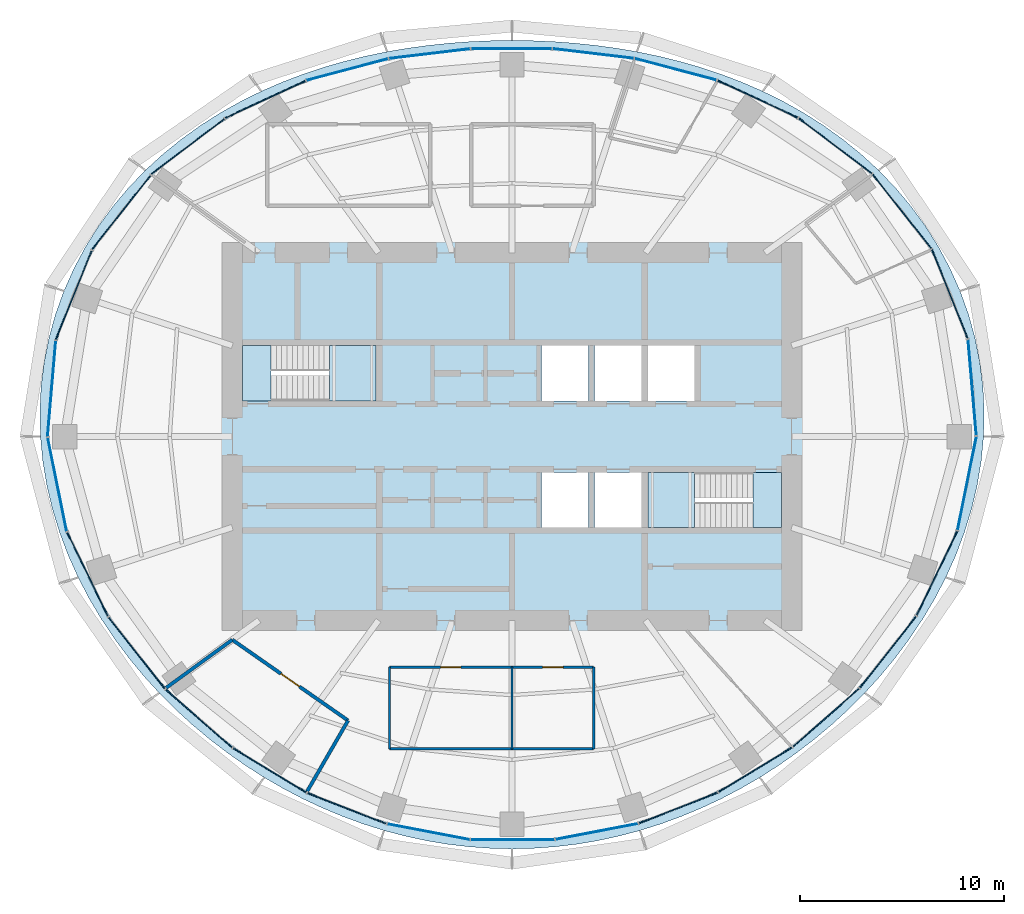
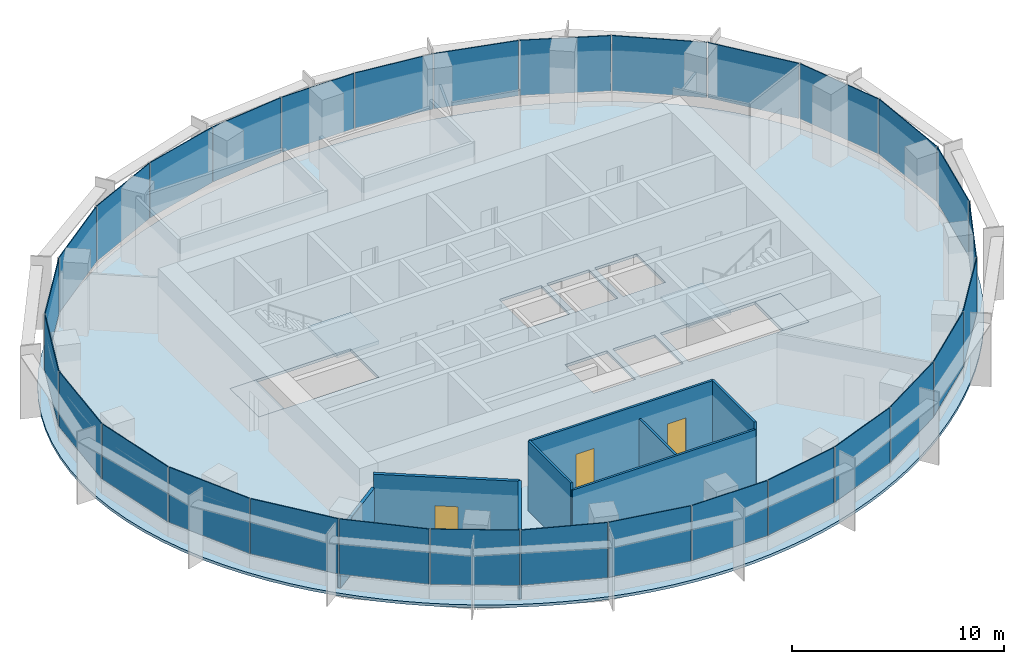
# One storey, part 8 of 13: 30 plates, 8 walls, 5 slabs, 3 doors, 3 openings, 8 elements without a shape of their own.
"""IFC4 building model written with IfcOpenShell, lengths in metres."""

from ifc_helpers import new_model, si_unit, direction, frame, frame_2d, origin, origin_2d, place, context, subcontext, project, spatial, polyline, rectangle, outline, extrude, material, layer, layer_set, type_object, element, fill, aggregate, save


model = new_model("IFC4")

# Units and contexts
model_context = context("Model", 3, precision=1e-05, world=origin(), true_north=direction((0.0, 1.0)))
body_context = subcontext(model_context, "Body", "Model", "MODEL_VIEW")
ifc_project = project(units=[si_unit("LENGTHUNIT", "METRE"), si_unit("AREAUNIT", "SQUARE_METRE"), si_unit("VOLUMEUNIT", "CUBIC_METRE"), si_unit("PLANEANGLEUNIT", "RADIAN"), si_unit("MASSUNIT", "GRAM", prefix="KILO")], contexts=[model_context])

# Site, building, storey
site_placement = place(None, origin())
site = spatial("IfcSite", under=ifc_project, at=site_placement, CompositionType="ELEMENT")
building_placement = place(site_placement, origin())
building = spatial("IfcBuilding", under=site, at=building_placement, Name="Marramba Exchange Tower", CompositionType="ELEMENT")
storey_placement = place(building_placement, frame((0.0, 0.0, 264.39990234375)))
storey = spatial("IfcBuildingStorey", under=building, at=storey_placement, Name="L64", CompositionType="ELEMENT", Elevation=264.39990234375)

# Slab
ifc_material_1 = material(Name="Concrete N40", Category="concrete")
ifc_layer_1 = layer(ifc_material_1, 0.159912109375)
ifc_layer_set_1 = layer_set([ifc_layer_1], Name="Composite floor slab 160")
slab_type_1 = type_object("IfcSlabType", Name="Composite floor slab 160", PredefinedType="FLOOR", material=ifc_layer_set_1)
slab_1_placement = place(storey_placement, frame((0.0, 0.0, -0.159912109375)))
element("IfcSlab", 1, at=slab_1_placement, inside=storey, type_object=slab_type_1, Name="Floor slab L64", PredefinedType="FLOOR", context=body_context, shape_type="SweptSolid", body=[
    extrude(outline(polyline([(23.10009765625, 0.0), (23.129150390625, 1.212158203125), (23.070068359375, 2.4248046875), (22.921630859375, 3.63037109375), (22.6845703125, 4.82177734375), (22.359619140625, 5.9912109375), (21.94970703125, 7.1318359375), (21.4580078125, 8.237060546875), (20.889404296875, 9.300537109375), (20.248779296875, 10.3173828125), (19.542236328125, 11.28271484375), (18.77587890625, 12.193359375), (17.95654296875, 13.046142578125), (17.090576171875, 13.83984375), (16.18505859375, 14.572998046875), (15.245849609375, 15.245849609375), (14.279541015625, 15.85888671875), (13.291259765625, 16.413330078125), (12.28662109375, 16.9111328125), (11.270263671875, 17.3544921875), (10.24560546875, 17.745849609375), (9.21630859375, 18.088134765625), (8.185302734375, 18.38427734375), (7.154296875, 18.63720703125), (6.124755859375, 18.849853515625), (5.09765625, 19.024658203125), (4.073486328125, 19.1640625), (3.05224609375, 19.2705078125), (2.033203125, 19.344970703125), (1.01611328125, 19.389404296875), (0.0, 19.404052734375), (-1.01611328125, 19.389404296875), (-2.033203125, 19.344970703125), (-3.05224609375, 19.2705078125), (-4.073486328125, 19.1640625), (-5.09765625, 19.024658203125), (-6.124755859375, 18.849853515625), (-7.154296875, 18.63720703125), (-8.185302734375, 18.38427734375), (-9.21630859375, 18.088134765625), (-10.24560546875, 17.745849609375), (-11.270263671875, 17.3544921875), (-12.28662109375, 16.9111328125), (-13.291259765625, 16.413330078125), (-14.279541015625, 15.85888671875), (-15.245849609375, 15.245849609375), (-16.18505859375, 14.572998046875), (-17.090576171875, 13.83984375), (-17.95654296875, 13.046142578125), (-18.77587890625, 12.193359375), (-19.542236328125, 11.28271484375), (-20.248779296875, 10.3173828125), (-20.889404296875, 9.300537109375), (-21.4580078125, 8.237060546875), (-21.94970703125, 7.1318359375), (-22.359619140625, 5.9912109375), (-22.6845703125, 4.82177734375), (-22.921630859375, 3.63037109375), (-23.070068359375, 2.4248046875), (-23.129150390625, 1.212158203125), (-23.10009765625, 0.0), (-22.98486328125, -1.20458984375), (-22.78662109375, -2.39501953125), (-22.50927734375, -3.565185546875), (-22.1572265625, -4.709716796875), (-21.736083984375, -5.82421875), (-21.250732421875, -6.90478515625), (-20.706787109375, -7.948486328125), (-20.109619140625, -8.953369140625), (-19.46435546875, -9.91748046875), (-18.77587890625, -10.84033203125), (-18.048583984375, -11.720947265625), (-17.2861328125, -12.55908203125), (-16.4921875, -13.355224609375), (-15.669677734375, -14.10888671875), (-14.820556640625, -14.820556640625), (-13.947509765625, -15.490478515625), (-13.05224609375, -16.1181640625), (-12.1357421875, -16.703369140625), (-11.199951171875, -17.246337890625), (-10.24560546875, -17.745849609375), (-9.274169921875, -18.20166015625), (-8.287109375, -18.613037109375), (-7.285400390625, -18.978759765625), (-6.2705078125, -19.29833984375), (-5.243896484375, -19.570556640625), (-4.20751953125, -19.79443359375), (-3.162841796875, -19.9697265625), (-2.112060546875, -20.09521484375), (-1.05712890625, -20.1708984375), (0.0, -20.196044921875), (1.05712890625, -20.1708984375), (2.112060546875, -20.09521484375), (3.162841796875, -19.9697265625), (4.20751953125, -19.79443359375), (5.243896484375, -19.570556640625), (6.2705078125, -19.29833984375), (7.285400390625, -18.978759765625), (8.287109375, -18.613037109375), (9.274169921875, -18.20166015625), (10.24560546875, -17.745849609375), (11.199951171875, -17.246337890625), (12.1357421875, -16.703369140625), (13.05224609375, -16.1181640625), (13.947509765625, -15.490478515625), (14.820556640625, -14.820556640625), (15.669677734375, -14.10888671875), (16.4921875, -13.355224609375), (17.2861328125, -12.55908203125), (18.048583984375, -11.720947265625), (18.77587890625, -10.84033203125), (19.46435546875, -9.91748046875), (20.109619140625, -8.953369140625), (20.706787109375, -7.948486328125), (21.250732421875, -6.90478515625), (21.736083984375, -5.82421875), (22.1572265625, -4.709716796875), (22.50927734375, -3.565185546875), (22.78662109375, -2.39501953125), (22.98486328125, -1.20458984375), (23.10009765625, 0.0)]), holes=[polyline([(1.449951171875, 1.75), (3.75, 1.75), (3.75, 4.449951171875), (1.449951171875, 4.449951171875), (1.449951171875, 1.75)]), polyline([(4.050048828125, 1.75), (6.35009765625, 1.75), (6.35009765625, 4.449951171875), (4.050048828125, 4.449951171875), (4.050048828125, 1.75)]), polyline([(1.449951171875, -4.449951171875), (3.75, -4.449951171875), (3.75, -1.75), (1.449951171875, -1.75), (1.449951171875, -4.449951171875)]), polyline([(4.050048828125, -4.449951171875), (6.35009765625, -4.449951171875), (6.35009765625, -1.75), (4.050048828125, -1.75), (4.050048828125, -4.449951171875)]), polyline([(6.64990234375, 1.75), (8.949951171875, 1.75), (8.949951171875, 4.449951171875), (6.64990234375, 4.449951171875), (6.64990234375, 1.75)]), polyline([(-13.199951171875, 1.75), (-6.64990234375, 1.75), (-6.64990234375, 4.449951171875), (-13.199951171875, 4.449951171875), (-13.199951171875, 1.75)]), polyline([(6.64990234375, -4.449951171875), (13.199951171875, -4.449951171875), (13.199951171875, -1.75), (6.64990234375, -1.75), (6.64990234375, -4.449951171875)])]), origin(), (0.0, 0.0, 1.0), 0.159912109375),
])

# Curtain wall, plates
ifc_material_2 = material(Name="Aluminium framing, bronze anodised", Category="aluminium")
curtain_wall_type = type_object("IfcCurtainWallType", Name="Executive floor ribbon curtain wall", PredefinedType="USERDEFINED", material=ifc_material_2)
curtain_wall_1_placement = place(storey_placement, origin())
curtain_wall_1 = element("IfcCurtainWall", 2, at=curtain_wall_1_placement, inside=storey, type_object=curtain_wall_type, Name="Curtain wall CW5 L64 F01-F05", ObjectType="RIBBON CURTAIN WALL", PredefinedType="USERDEFINED")
ifc_material_3 = material(Name="Laminated double glazed unit 13.52 + 20 + 13.52, bronze tinted, acoustic interlayer", Category="glass")
ifc_layer_2 = layer(ifc_material_3, 0.047119140625)
ifc_layer_set_2 = layer_set([ifc_layer_2], Name="Executive floor ribbon curtain wall panel")
plate_type = type_object("IfcPlateType", Name="Executive floor ribbon curtain wall panel", PredefinedType="CURTAIN_PANEL", material=ifc_layer_set_2)
plate_1_placement = place(storey_placement, frame((22.54345703125, 2.404296875, 0.8603515625), z_axis=(0.0, 0.0, 1.0), x_axis=(-0.085574009881, 0.996331816632, 0.0)))
plate_1 = element("IfcPlate", 3, at=plate_1_placement, type_object=plate_type, Name="CW5 vision panel", PredefinedType="CURTAIN_PANEL", context=body_context, shape_type="SweptSolid", body=[
    extrude(rectangle(XDim=4.70654296875, YDim=0.047119140625, at=origin_2d()), origin(), (0.0, 0.0, 1.0), 3.179931640625),
])
plate_2_placement = place(storey_placement, frame((21.444580078125, 6.9814453125, 0.8603515625), z_axis=(0.0, 0.0, 1.0), x_axis=(-0.372983090774, 0.927838139977, 0.0)))
plate_2 = element("IfcPlate", 4, at=plate_2_placement, type_object=plate_type, Name="CW5 vision panel", PredefinedType="CURTAIN_PANEL", context=body_context, shape_type="SweptSolid", body=[
    extrude(rectangle(XDim=4.692138671875, YDim=0.047119140625, at=origin_2d()), origin(), (0.0, 0.0, 1.0), 3.179931640625),
])
plate_3_placement = place(storey_placement, frame((19.10302734375, 11.02294921875, 0.8603515625), z_axis=(0.0, 0.0, 1.0), x_axis=(-0.618222857512, 0.786002861604, 0.0)))
plate_3 = element("IfcPlate", 5, at=plate_3_placement, type_object=plate_type, Name="CW5 vision panel", PredefinedType="CURTAIN_PANEL", context=body_context, shape_type="SweptSolid", body=[
    extrude(rectangle(XDim=4.624755859375, YDim=0.047119140625, at=origin_2d()), origin(), (0.0, 0.0, 1.0), 3.179931640625),
])
plate_4_placement = place(storey_placement, frame((15.83544921875, 14.23779296875, 0.8603515625), z_axis=(0.0, 0.0, 1.0), x_axis=(-0.796058900199, 0.605219156516, 0.0)))
plate_4 = element("IfcPlate", 6, at=plate_4_placement, type_object=plate_type, Name="CW5 vision panel", PredefinedType="CURTAIN_PANEL", context=body_context, shape_type="SweptSolid", body=[
    extrude(rectangle(XDim=4.49755859375, YDim=0.047119140625, at=origin_2d()), origin(), (0.0, 0.0, 1.0), 3.179931640625),
])
plate_5_placement = place(storey_placement, frame((12.03076171875, 16.533447265625, 0.8603515625), z_axis=(0.0, 0.0, 1.0), x_axis=(-0.90713057934, 0.420849274712, 0.0)))
plate_5 = element("IfcPlate", 7, at=plate_5_placement, type_object=plate_type, Name="CW5 vision panel", PredefinedType="CURTAIN_PANEL", context=body_context, shape_type="SweptSolid", body=[
    extrude(rectangle(XDim=4.321533203125, YDim=0.047119140625, at=origin_2d()), origin(), (0.0, 0.0, 1.0), 3.179931640625),
])
aggregate(curtain_wall_1, [plate_1, plate_2, plate_3, plate_4, plate_5])

curtain_wall_2_placement = place(storey_placement, origin())
curtain_wall_2 = element("IfcCurtainWall", 8, at=curtain_wall_2_placement, inside=storey, type_object=curtain_wall_type, Name="Curtain wall CW5 L64 F06-F10", ObjectType="RIBBON CURTAIN WALL", PredefinedType="USERDEFINED")
plate_6_placement = place(storey_placement, frame((8.0146484375, 17.987548828125, 0.8603515625), z_axis=(0.0, 0.0, 1.0), x_axis=(-0.966643517501, 0.256125574813, 0.0)))
plate_6 = element("IfcPlate", 9, at=plate_6_placement, type_object=plate_type, Name="CW5 vision panel", PredefinedType="CURTAIN_PANEL", context=body_context, shape_type="SweptSolid", body=[
    extrude(rectangle(XDim=4.134033203125, YDim=0.047119140625, at=origin_2d()), origin(), (0.0, 0.0, 1.0), 3.179931640625),
])
plate_7_placement = place(storey_placement, frame((3.976806640625, 18.760498046875, 0.8603515625), z_axis=(0.0, 0.0, 1.0), x_axis=(-0.992947253654, 0.118556954505, 0.0)))
plate_7 = element("IfcPlate", 10, at=plate_7_placement, type_object=plate_type, Name="CW5 vision panel", PredefinedType="CURTAIN_PANEL", context=body_context, shape_type="SweptSolid", body=[
    extrude(rectangle(XDim=3.988525390625, YDim=0.047119140625, at=origin_2d()), origin(), (0.0, 0.0, 1.0), 3.179931640625),
])
plate_8_placement = place(storey_placement, frame((-0.030029296875, 18.9970703125, 0.8603515625), z_axis=(0.0, 0.0, 1.0), x_axis=(-1.0, 0.0, 0.0)))
plate_8 = element("IfcPlate", 11, at=plate_8_placement, type_object=plate_type, Name="CW5 vision panel", PredefinedType="CURTAIN_PANEL", context=body_context, shape_type="SweptSolid", body=[
    extrude(rectangle(XDim=3.933349609375, YDim=0.047119140625, at=origin_2d()), origin(), (0.0, 0.0, 1.0), 3.179931640625),
])
plate_9_placement = place(storey_placement, frame((-4.036376953125, 18.75341796875, 0.8603515625), z_axis=(0.0, 0.0, 1.0), x_axis=(-0.992947253654, -0.118556954505, 0.0)))
plate_9 = element("IfcPlate", 12, at=plate_9_placement, type_object=plate_type, Name="CW5 vision panel", PredefinedType="CURTAIN_PANEL", context=body_context, shape_type="SweptSolid", body=[
    extrude(rectangle(XDim=3.988525390625, YDim=0.047119140625, at=origin_2d()), origin(), (0.0, 0.0, 1.0), 3.179931640625),
])
plate_10_placement = place(storey_placement, frame((-8.072509765625, 17.97216796875, 0.8603515625), z_axis=(0.0, 0.0, 1.0), x_axis=(-0.966643517501, -0.256125574813, 0.0)))
plate_10 = element("IfcPlate", 13, at=plate_10_placement, type_object=plate_type, Name="CW5 vision panel", PredefinedType="CURTAIN_PANEL", context=body_context, shape_type="SweptSolid", body=[
    extrude(rectangle(XDim=4.134033203125, YDim=0.047119140625, at=origin_2d()), origin(), (0.0, 0.0, 1.0), 3.179931640625),
])
aggregate(curtain_wall_2, [plate_6, plate_7, plate_8, plate_9, plate_10])

curtain_wall_3_placement = place(storey_placement, origin())
curtain_wall_3 = element("IfcCurtainWall", 14, at=curtain_wall_3_placement, inside=storey, type_object=curtain_wall_type, Name="Curtain wall CW5 L64 F11-F15", ObjectType="RIBBON CURTAIN WALL", PredefinedType="USERDEFINED")
plate_11_placement = place(storey_placement, frame((-12.085205078125, 16.50830078125, 0.8603515625), z_axis=(0.0, 0.0, 1.0), x_axis=(-0.90713057934, -0.420849274712, 0.0)))
plate_11 = element("IfcPlate", 15, at=plate_11_placement, type_object=plate_type, Name="CW5 vision panel", PredefinedType="CURTAIN_PANEL", context=body_context, shape_type="SweptSolid", body=[
    extrude(rectangle(XDim=4.321533203125, YDim=0.047119140625, at=origin_2d()), origin(), (0.0, 0.0, 1.0), 3.179931640625),
])
plate_12_placement = place(storey_placement, frame((-15.88330078125, 14.201416015625, 0.8603515625), z_axis=(0.0, 0.0, 1.0), x_axis=(-0.796058900199, -0.605219156516, 0.0)))
plate_12 = element("IfcPlate", 16, at=plate_12_placement, type_object=plate_type, Name="CW5 vision panel", PredefinedType="CURTAIN_PANEL", context=body_context, shape_type="SweptSolid", body=[
    extrude(rectangle(XDim=4.49755859375, YDim=0.047119140625, at=origin_2d()), origin(), (0.0, 0.0, 1.0), 3.179931640625),
])
plate_13_placement = place(storey_placement, frame((-19.14013671875, 10.975830078125, 0.8603515625), z_axis=(0.0, 0.0, 1.0), x_axis=(-0.618222857512, -0.786002861604, 0.0)))
plate_13 = element("IfcPlate", 17, at=plate_13_placement, type_object=plate_type, Name="CW5 vision panel", PredefinedType="CURTAIN_PANEL", context=body_context, shape_type="SweptSolid", body=[
    extrude(rectangle(XDim=4.624755859375, YDim=0.047119140625, at=origin_2d()), origin(), (0.0, 0.0, 1.0), 3.179931640625),
])
plate_14_placement = place(storey_placement, frame((-21.467041015625, 6.92578125, 0.8603515625), z_axis=(0.0, 0.0, 1.0), x_axis=(-0.372983090774, -0.927838139977, 0.0)))
plate_14 = element("IfcPlate", 18, at=plate_14_placement, type_object=plate_type, Name="CW5 vision panel", PredefinedType="CURTAIN_PANEL", context=body_context, shape_type="SweptSolid", body=[
    extrude(rectangle(XDim=4.692138671875, YDim=0.047119140625, at=origin_2d()), origin(), (0.0, 0.0, 1.0), 3.179931640625),
])
plate_15_placement = place(storey_placement, frame((-22.548583984375, 2.344482421875, 0.8603515625), z_axis=(0.0, 0.0, 1.0), x_axis=(-0.085574009881, -0.996331816632, 0.0)))
plate_15 = element("IfcPlate", 19, at=plate_15_placement, type_object=plate_type, Name="CW5 vision panel", PredefinedType="CURTAIN_PANEL", context=body_context, shape_type="SweptSolid", body=[
    extrude(rectangle(XDim=4.70654296875, YDim=0.047119140625, at=origin_2d()), origin(), (0.0, 0.0, 1.0), 3.179931640625),
])
aggregate(curtain_wall_3, [plate_11, plate_12, plate_13, plate_14, plate_15])

curtain_wall_4_placement = place(storey_placement, origin())
curtain_wall_4 = element("IfcCurtainWall", 20, at=curtain_wall_4_placement, inside=storey, type_object=curtain_wall_type, Name="Curtain wall CW5 L64 F16-F20", ObjectType="RIBBON CURTAIN WALL", PredefinedType="USERDEFINED")
plate_16_placement = place(storey_placement, frame((-22.276611328125, -2.347900390625, 0.8603515625), z_axis=(0.0, 0.0, 1.0), x_axis=(0.19767053089, -0.980268514856, 0.0)))
plate_16 = element("IfcPlate", 21, at=plate_16_placement, type_object=plate_type, Name="CW5 vision panel", PredefinedType="CURTAIN_PANEL", context=body_context, shape_type="SweptSolid", body=[
    extrude(rectangle(XDim=4.670166015625, YDim=0.047119140625, at=origin_2d()), origin(), (0.0, 0.0, 1.0), 3.179931640625),
])
plate_17_placement = place(storey_placement, frame((-20.789306640625, -6.7509765625, 0.8603515625), z_axis=(0.0, 0.0, 1.0), x_axis=(0.436514585945, -0.89969718031, 0.0)))
plate_17 = element("IfcPlate", 22, at=plate_17_placement, type_object=plate_type, Name="CW5 vision panel", PredefinedType="CURTAIN_PANEL", context=body_context, shape_type="SweptSolid", body=[
    extrude(rectangle(XDim=4.579345703125, YDim=0.047119140625, at=origin_2d()), origin(), (0.0, 0.0, 1.0), 3.179931640625),
])
plate_18_placement = place(storey_placement, frame((-18.3779296875, -10.605712890625, 0.8603515625), z_axis=(0.0, 0.0, 1.0), x_axis=(0.618290634763, -0.78594954734, 0.0)))
plate_18 = element("IfcPlate", 23, at=plate_18_placement, type_object=plate_type, Name="CW5 vision panel", PredefinedType="CURTAIN_PANEL", context=body_context, shape_type="SweptSolid", body=[
    extrude(rectangle(XDim=4.447265625, YDim=0.047119140625, at=origin_2d()), origin(), (0.0, 0.0, 1.0), 3.179931640625),
])
plate_19_placement = place(storey_placement, frame((-15.335693359375, -13.8115234375, 0.8603515625), z_axis=(0.0, 0.0, 1.0), x_axis=(0.752751050569, -0.658305290779, 0.0)))
plate_19 = element("IfcPlate", 24, at=plate_19_placement, type_object=plate_type, Name="CW5 vision panel", PredefinedType="CURTAIN_PANEL", context=body_context, shape_type="SweptSolid", body=[
    extrude(rectangle(XDim=4.31005859375, YDim=0.047119140625, at=origin_2d()), origin(), (0.0, 0.0, 1.0), 3.179931640625),
])
plate_20_placement = place(storey_placement, frame((-11.866455078125, -16.35205078125, 0.8603515625), z_axis=(0.0, 0.0, 1.0), x_axis=(0.854704329539, -0.519115121209, 0.0)))
plate_20 = element("IfcPlate", 25, at=plate_20_placement, type_object=plate_type, Name="CW5 vision panel", PredefinedType="CURTAIN_PANEL", context=body_context, shape_type="SweptSolid", body=[
    extrude(rectangle(XDim=4.2021484375, YDim=0.047119140625, at=origin_2d()), origin(), (0.0, 0.0, 1.0), 3.179931640625),
])
aggregate(curtain_wall_4, [plate_16, plate_17, plate_18, plate_19, plate_20])

curtain_wall_5_placement = place(storey_placement, origin())
curtain_wall_5 = element("IfcCurtainWall", 26, at=curtain_wall_5_placement, inside=storey, type_object=curtain_wall_type, Name="Curtain wall CW5 L64 F21-F25", ObjectType="RIBBON CURTAIN WALL", PredefinedType="USERDEFINED")
plate_21_placement = place(storey_placement, frame((-8.08837890625, -18.215087890625, 0.8603515625), z_axis=(0.0, 0.0, 1.0), x_axis=(0.931785137859, -0.363010271018, 0.0)))
plate_21 = element("IfcPlate", 27, at=plate_21_placement, type_object=plate_type, Name="CW5 vision panel", PredefinedType="CURTAIN_PANEL", context=body_context, shape_type="SweptSolid", body=[
    extrude(rectangle(XDim=4.134521484375, YDim=0.047119140625, at=origin_2d()), origin(), (0.0, 0.0, 1.0), 3.179931640625),
])
plate_22_placement = place(storey_placement, frame((-4.08935546875, -19.36181640625, 0.8603515625), z_axis=(0.0, 0.0, 1.0), x_axis=(0.982193291127, -0.187873198899, 0.0)))
plate_22 = element("IfcPlate", 28, at=plate_22_placement, type_object=plate_type, Name="CW5 vision panel", PredefinedType="CURTAIN_PANEL", context=body_context, shape_type="SweptSolid", body=[
    extrude(rectangle(XDim=4.100830078125, YDim=0.047119140625, at=origin_2d()), origin(), (0.0, 0.0, 1.0), 3.179931640625),
])
plate_23_placement = place(storey_placement, frame((0.030029296875, -19.7470703125, 0.8603515625), z_axis=(0.0, 0.0, 1.0), x_axis=(1.0, 0.0, 0.0)))
plate_23 = element("IfcPlate", 29, at=plate_23_placement, type_object=plate_type, Name="CW5 vision panel", PredefinedType="CURTAIN_PANEL", context=body_context, shape_type="SweptSolid", body=[
    extrude(rectangle(XDim=4.091064453125, YDim=0.047119140625, at=origin_2d()), origin(), (0.0, 0.0, 1.0), 3.179931640625),
])
plate_24_placement = place(storey_placement, frame((4.1484375, -19.3505859375, 0.8603515625), z_axis=(0.0, 0.0, 1.0), x_axis=(0.982193291127, 0.187873198899, 0.0)))
plate_24 = element("IfcPlate", 30, at=plate_24_placement, type_object=plate_type, Name="CW5 vision panel", PredefinedType="CURTAIN_PANEL", context=body_context, shape_type="SweptSolid", body=[
    extrude(rectangle(XDim=4.100830078125, YDim=0.047119140625, at=origin_2d()), origin(), (0.0, 0.0, 1.0), 3.179931640625),
])
plate_25_placement = place(storey_placement, frame((8.144287109375, -18.193115234375, 0.8603515625), z_axis=(0.0, 0.0, 1.0), x_axis=(0.931785137859, 0.363010271018, 0.0)))
plate_25 = element("IfcPlate", 31, at=plate_25_placement, type_object=plate_type, Name="CW5 vision panel", PredefinedType="CURTAIN_PANEL", context=body_context, shape_type="SweptSolid", body=[
    extrude(rectangle(XDim=4.134521484375, YDim=0.047119140625, at=origin_2d()), origin(), (0.0, 0.0, 1.0), 3.179931640625),
])
aggregate(curtain_wall_5, [plate_21, plate_22, plate_23, plate_24, plate_25])

curtain_wall_6_placement = place(storey_placement, origin())
curtain_wall_6 = element("IfcCurtainWall", 32, at=curtain_wall_6_placement, inside=storey, type_object=curtain_wall_type, Name="Curtain wall CW5 L64 F26-F30", ObjectType="RIBBON CURTAIN WALL", PredefinedType="USERDEFINED")
plate_26_placement = place(storey_placement, frame((11.917724609375, -16.321044921875, 0.8603515625), z_axis=(0.0, 0.0, 1.0), x_axis=(0.854704329539, 0.519115121209, 0.0)))
plate_26 = element("IfcPlate", 33, at=plate_26_placement, type_object=plate_type, Name="CW5 vision panel", PredefinedType="CURTAIN_PANEL", context=body_context, shape_type="SweptSolid", body=[
    extrude(rectangle(XDim=4.2021484375, YDim=0.047119140625, at=origin_2d()), origin(), (0.0, 0.0, 1.0), 3.179931640625),
])
plate_27_placement = place(storey_placement, frame((15.380859375, -13.772216796875, 0.8603515625), z_axis=(0.0, 0.0, 1.0), x_axis=(0.752751050569, 0.658305290779, 0.0)))
plate_27 = element("IfcPlate", 34, at=plate_27_placement, type_object=plate_type, Name="CW5 vision panel", PredefinedType="CURTAIN_PANEL", context=body_context, shape_type="SweptSolid", body=[
    extrude(rectangle(XDim=4.31005859375, YDim=0.047119140625, at=origin_2d()), origin(), (0.0, 0.0, 1.0), 3.179931640625),
])
plate_28_placement = place(storey_placement, frame((18.4150390625, -10.55859375, 0.8603515625), z_axis=(0.0, 0.0, 1.0), x_axis=(0.618290634763, 0.78594954734, 0.0)))
plate_28 = element("IfcPlate", 35, at=plate_28_placement, type_object=plate_type, Name="CW5 vision panel", PredefinedType="CURTAIN_PANEL", context=body_context, shape_type="SweptSolid", body=[
    extrude(rectangle(XDim=4.447265625, YDim=0.047119140625, at=origin_2d()), origin(), (0.0, 0.0, 1.0), 3.179931640625),
])
plate_29_placement = place(storey_placement, frame((20.8154296875, -6.697021484375, 0.8603515625), z_axis=(0.0, 0.0, 1.0), x_axis=(0.436514585945, 0.89969718031, 0.0)))
plate_29 = element("IfcPlate", 36, at=plate_29_placement, type_object=plate_type, Name="CW5 vision panel", PredefinedType="CURTAIN_PANEL", context=body_context, shape_type="SweptSolid", body=[
    extrude(rectangle(XDim=4.579345703125, YDim=0.047119140625, at=origin_2d()), origin(), (0.0, 0.0, 1.0), 3.179931640625),
])
plate_30_placement = place(storey_placement, frame((22.288330078125, -2.2890625, 0.8603515625), z_axis=(0.0, 0.0, 1.0), x_axis=(0.19767053089, 0.980268514856, 0.0)))
plate_30 = element("IfcPlate", 37, at=plate_30_placement, type_object=plate_type, Name="CW5 vision panel", PredefinedType="CURTAIN_PANEL", context=body_context, shape_type="SweptSolid", body=[
    extrude(rectangle(XDim=4.670166015625, YDim=0.047119140625, at=origin_2d()), origin(), (0.0, 0.0, 1.0), 3.179931640625),
])
aggregate(curtain_wall_6, [plate_26, plate_27, plate_28, plate_29, plate_30])

# Stair, slabs
ifc_material_4 = material(Name="Concrete N40 (40 MPa)", Category="concrete")
stair_type_1 = type_object("IfcStairType", Name="Exit stair ST1 4200 x 1250", PredefinedType="HALF_TURN_STAIR", material=ifc_material_4)
stair_1_placement = place(storey_placement, origin())
stair_1 = element("IfcStair", 38, at=stair_1_placement, inside=storey, type_object=stair_type_1, Name="Exit stair ST1 L64", PredefinedType="HALF_TURN_STAIR")
ifc_layer_3 = layer(ifc_material_4, 0.199951171875)
ifc_layer_set_3 = layer_set([ifc_layer_3], Name="Stair landing 200")
slab_type_2 = type_object("IfcSlabType", Name="Stair landing 200", PredefinedType="LANDING", material=ifc_layer_set_3)
slab_2_placement = place(storey_placement, frame((0.0, 0.0, -0.199951171875)))
slab_2 = element("IfcSlab", 39, at=slab_2_placement, type_object=slab_type_2, Name="ST1 landing 1", PredefinedType="LANDING", context=body_context, shape_type="SweptSolid", body=[
    extrude(outline(polyline([(-13.199951171875, 1.75), (-11.800048828125, 1.75), (-11.800048828125, 4.449951171875), (-13.199951171875, 4.449951171875), (-13.199951171875, 1.75)])), origin(), (0.0, 0.0, 1.0), 0.199951171875),
])
slab_3_placement = place(storey_placement, frame((0.0, 0.0, 1.900146484375)))
slab_3 = element("IfcSlab", 40, at=slab_3_placement, type_object=slab_type_2, Name="ST1 landing 2", PredefinedType="LANDING", context=body_context, shape_type="SweptSolid", body=[
    extrude(outline(polyline([(-8.93994140625, 1.75), (-6.64990234375, 1.75), (-6.64990234375, 4.449951171875), (-8.93994140625, 4.449951171875), (-8.93994140625, 1.75)])), origin(), (0.0, 0.0, 1.0), 0.199951171875),
])
aggregate(stair_1, [slab_2, slab_3])

stair_type_2 = type_object("IfcStairType", Name="Exit stair ST2 4200 x 1250", PredefinedType="HALF_TURN_STAIR", material=ifc_material_4)
stair_2_placement = place(storey_placement, origin())
stair_2 = element("IfcStair", 41, at=stair_2_placement, inside=storey, type_object=stair_type_2, Name="Exit stair ST2 L64", PredefinedType="HALF_TURN_STAIR")
slab_4_placement = place(storey_placement, frame((0.0, 0.0, -0.199951171875)))
slab_4 = element("IfcSlab", 42, at=slab_4_placement, type_object=slab_type_2, Name="ST2 landing 1", PredefinedType="LANDING", context=body_context, shape_type="SweptSolid", body=[
    extrude(outline(polyline([(11.800048828125, -4.449951171875), (13.199951171875, -4.449951171875), (13.199951171875, -1.75), (11.800048828125, -1.75), (11.800048828125, -4.449951171875)])), origin(), (0.0, 0.0, 1.0), 0.199951171875),
])
slab_5_placement = place(storey_placement, frame((0.0, 0.0, 1.900146484375)))
slab_5 = element("IfcSlab", 43, at=slab_5_placement, type_object=slab_type_2, Name="ST2 landing 2", PredefinedType="LANDING", context=body_context, shape_type="SweptSolid", body=[
    extrude(outline(polyline([(6.64990234375, -4.449951171875), (8.93994140625, -4.449951171875), (8.93994140625, -1.75), (6.64990234375, -1.75), (6.64990234375, -4.449951171875)])), origin(), (0.0, 0.0, 1.0), 0.199951171875),
])
aggregate(stair_2, [slab_4, slab_5])

# Wall
ifc_material_5 = material(Name="Plasterboard on staggered double steel studs, acoustic insulation", Category="steel")
ifc_layer_4 = layer(ifc_material_5, 0.169921875)
ifc_layer_set_4 = layer_set([ifc_layer_4], Name="Acoustic partition 170")
wall_type_1 = type_object("IfcWallType", Name="Acoustic partition 170", PredefinedType="PARTITIONING", material=ifc_layer_set_4)
wall_1_placement = place(storey_placement, frame((-13.7021484375, -9.955322265625, 0.0), z_axis=(0.0, 0.0, 1.0), x_axis=(-0.809026317077, -0.587772420479, 0.0)))
element("IfcWall", 44, at=wall_1_placement, inside=storey, type_object=wall_type_1, Name="Acoustic partition L64 01", PredefinedType="PARTITIONING", context=body_context, shape_type="SweptSolid", body=[
    extrude(rectangle(XDim=4.0, YDim=0.169921875, at=frame_2d((2.0, 0.0))), origin(), (0.0, 0.0, 1.0), 3.239990234375),
])

# Wall, opening, door
wall_2_placement = place(storey_placement, frame((-8.030517578125, -13.909423828125, 0.0), z_axis=(0.0, 0.0, 1.0), x_axis=(-0.820320356129, 0.571904286852, 0.0)))
wall_2 = element("IfcWall", 45, at=wall_2_placement, inside=storey, type_object=wall_type_1, Name="Acoustic partition L64 02", PredefinedType="PARTITIONING", context=body_context, shape_type="SweptSolid", body=[
    extrude(rectangle(XDim=6.913818359375, YDim=0.169921875, at=frame_2d((3.45703125, 0.0))), origin(), (0.0, 0.0, 1.0), 4.0400390625),
])
opening_1_placement = place(wall_2_placement, frame((2.906982421875, 0.0, 0.0)))
opening_1 = element("IfcOpeningElement", 46, at=opening_1_placement, cuts=wall_2, Name="Opening D15", PredefinedType="OPENING", context=body_context, shape_type="SweptSolid", body=[
    extrude(rectangle(XDim=1.10009765625, YDim=2.39990234375, at=frame_2d((0.550048828125, 1.199951171875))), frame((0.0, 0.094970703125, 0.0), z_axis=(0.0, -1.0, 0.0), x_axis=(1.0, 0.0, 0.0)), (0.0, 0.0, 1.0), 0.18994140625),
])
ifc_material_6 = material(Name="Timber door", Category="wood")
door_type_1 = type_object("IfcDoorType", Name="Glazed meeting room door 1100x2400", OperationType="SINGLE_SWING_LEFT", PredefinedType="DOOR", material=ifc_material_6)
door_1_placement = place(opening_1_placement, origin())
door_1 = element("IfcDoor", 47, at=door_1_placement, inside=storey, type_object=door_type_1, Name="D15 Boardroom L64", OperationType="SINGLE_SWING_LEFT", OverallHeight=2.39990234375, OverallWidth=1.10009765625, PredefinedType="DOOR", context=body_context, shape_type="SweptSolid", body=[
    extrude(rectangle(XDim=1.10009765625, YDim=2.39990234375, at=frame_2d((0.550048828125, 1.199951171875))), frame((0.0, 0.02490234375, 0.0), z_axis=(0.0, -1.0, 0.0), x_axis=(1.0, 0.0, 0.0)), (0.0, 0.0, 1.0), 0.050048828125),
])
fill(opening_1, door_1)

# Walls
wall_3_placement = place(storey_placement, frame((-10.030517578125, -17.37353515625, 0.0), z_axis=(0.0, 0.0, 1.0), x_axis=(0.49999894854, 0.866026010844, 0.0)))
element("IfcWall", 48, at=wall_3_placement, inside=storey, type_object=wall_type_1, Name="Acoustic partition L64 03", PredefinedType="PARTITIONING", context=body_context, shape_type="SweptSolid", body=[
    extrude(rectangle(XDim=4.0, YDim=0.169921875, at=frame_2d((2.0, 0.0))), origin(), (0.0, 0.0, 1.0), 4.0400390625),
])
ifc_material_7 = material(Name="Plasterboard on steel studs", Category="steel")
ifc_layer_5 = layer(ifc_material_7, 0.1201171875)
ifc_layer_set_5 = layer_set([ifc_layer_5], Name="Partition 120")
wall_type_2 = type_object("IfcWallType", Name="Partition 120", PredefinedType="PARTITIONING", material=ifc_layer_set_5)
wall_4_placement = place(storey_placement, frame((-6.0, -15.300048828125, 0.0), z_axis=(0.0, 0.0, 1.0), x_axis=(0.0, 1.0, 0.0)))
element("IfcWall", 49, at=wall_4_placement, inside=storey, type_object=wall_type_2, Name="Partition L64 04", PredefinedType="PARTITIONING", context=body_context, shape_type="SweptSolid", body=[
    extrude(rectangle(XDim=4.0, YDim=0.1201171875, at=frame_2d((2.0, 0.0))), origin(), (0.0, 0.0, 1.0), 4.0400390625),
])

# Wall, openings, doors
wall_5_placement = place(storey_placement, frame((-6.0, -11.300048828125, 0.0), z_axis=(0.0, 0.0, 1.0), x_axis=(1.0, 0.0, 0.0)))
wall_5 = element("IfcWall", 50, at=wall_5_placement, inside=storey, type_object=wall_type_2, Name="Partition L64 05", PredefinedType="PARTITIONING", context=body_context, shape_type="SweptSolid", body=[
    extrude(rectangle(XDim=10.0, YDim=0.1201171875, at=frame_2d((5.0, 0.0))), origin(), (0.0, 0.0, 1.0), 4.0400390625),
])
opening_2_placement = place(wall_5_placement, frame((2.5, 0.0, 0.0)))
opening_2 = element("IfcOpeningElement", 51, at=opening_2_placement, cuts=wall_5, Name="Opening D9", PredefinedType="OPENING", context=body_context, shape_type="SweptSolid", body=[
    extrude(rectangle(XDim=1.0, YDim=2.39990234375, at=frame_2d((0.5, 1.199951171875))), frame((0.0, 0.070068359375, 0.0), z_axis=(0.0, -1.0, 0.0), x_axis=(1.0, 0.0, 0.0)), (0.0, 0.0, 1.0), 0.14013671875),
])
opening_3_placement = place(wall_5_placement, frame((7.5, 0.0, 0.0)))
opening_3 = element("IfcOpeningElement", 52, at=opening_3_placement, cuts=wall_5, Name="Opening D9", PredefinedType="OPENING", context=body_context, shape_type="SweptSolid", body=[
    extrude(rectangle(XDim=1.0, YDim=2.39990234375, at=frame_2d((0.5, 1.199951171875))), frame((0.0, 0.070068359375, 0.0), z_axis=(0.0, -1.0, 0.0), x_axis=(1.0, 0.0, 0.0)), (0.0, 0.0, 1.0), 0.14013671875),
])
door_type_2 = type_object("IfcDoorType", Name="Room door 1000x2400", OperationType="SINGLE_SWING_LEFT", PredefinedType="DOOR", material=ifc_material_6)
door_2_placement = place(opening_2_placement, frame((1.0, 0.0, 0.0), z_axis=(0.0, 0.0, 1.0), x_axis=(-1.0, 0.0, 0.0)))
door_2 = element("IfcDoor", 53, at=door_2_placement, inside=storey, type_object=door_type_2, Name="D9 Pantry L64", OperationType="SINGLE_SWING_RIGHT", OverallHeight=2.39990234375, OverallWidth=1.0, PredefinedType="DOOR", context=body_context, shape_type="SweptSolid", body=[
    extrude(rectangle(XDim=1.0, YDim=2.39990234375, at=frame_2d((0.5, 1.199951171875))), frame((0.0, 0.025146484375, 0.0), z_axis=(0.0, -1.0, 0.0), x_axis=(1.0, 0.0, 0.0)), (0.0, 0.0, 1.0), 0.050048828125),
])
fill(opening_2, door_2)
door_3_placement = place(opening_3_placement, frame((1.0, 0.0, 0.0), z_axis=(0.0, 0.0, 1.0), x_axis=(-1.0, 0.0, 0.0)))
door_3 = element("IfcDoor", 54, at=door_3_placement, inside=storey, type_object=door_type_2, Name="D9 Print Room L64", OperationType="SINGLE_SWING_RIGHT", OverallHeight=2.39990234375, OverallWidth=1.0, PredefinedType="DOOR", context=body_context, shape_type="SweptSolid", body=[
    extrude(rectangle(XDim=1.0, YDim=2.39990234375, at=frame_2d((0.5, 1.199951171875))), frame((0.0, 0.025146484375, 0.0), z_axis=(0.0, -1.0, 0.0), x_axis=(1.0, 0.0, 0.0)), (0.0, 0.0, 1.0), 0.050048828125),
])
fill(opening_3, door_3)

# Walls
wall_6_placement = place(storey_placement, frame((4.0, -15.300048828125, 0.0), z_axis=(0.0, 0.0, 1.0), x_axis=(-1.0, 0.0, 0.0)))
element("IfcWall", 55, at=wall_6_placement, inside=storey, type_object=wall_type_2, Name="Partition L64 06", PredefinedType="PARTITIONING", context=body_context, shape_type="SweptSolid", body=[
    extrude(rectangle(XDim=10.0, YDim=0.1201171875, at=frame_2d((5.0, 0.0))), origin(), (0.0, 0.0, 1.0), 3.63720703125),
])
wall_7_placement = place(storey_placement, frame((0.0, -11.300048828125, 0.0), z_axis=(0.0, 0.0, 1.0), x_axis=(0.0, -1.0, 0.0)))
element("IfcWall", 56, at=wall_7_placement, inside=storey, type_object=wall_type_2, Name="Partition L64 07", PredefinedType="PARTITIONING", context=body_context, shape_type="SweptSolid", body=[
    extrude(rectangle(XDim=4.0, YDim=0.1201171875, at=frame_2d((2.0, 0.0))), origin(), (0.0, 0.0, 1.0), 3.239990234375),
])
wall_8_placement = place(storey_placement, frame((4.0, -11.300048828125, 0.0), z_axis=(0.0, 0.0, 1.0), x_axis=(0.0, -1.0, 0.0)))
element("IfcWall", 57, at=wall_8_placement, inside=storey, type_object=wall_type_2, Name="Partition L64 08", PredefinedType="PARTITIONING", context=body_context, shape_type="SweptSolid", body=[
    extrude(rectangle(XDim=4.0, YDim=0.1201171875, at=frame_2d((2.0, 0.0))), origin(), (0.0, 0.0, 1.0), 4.0400390625),
])

save(model, "model.ifc")
